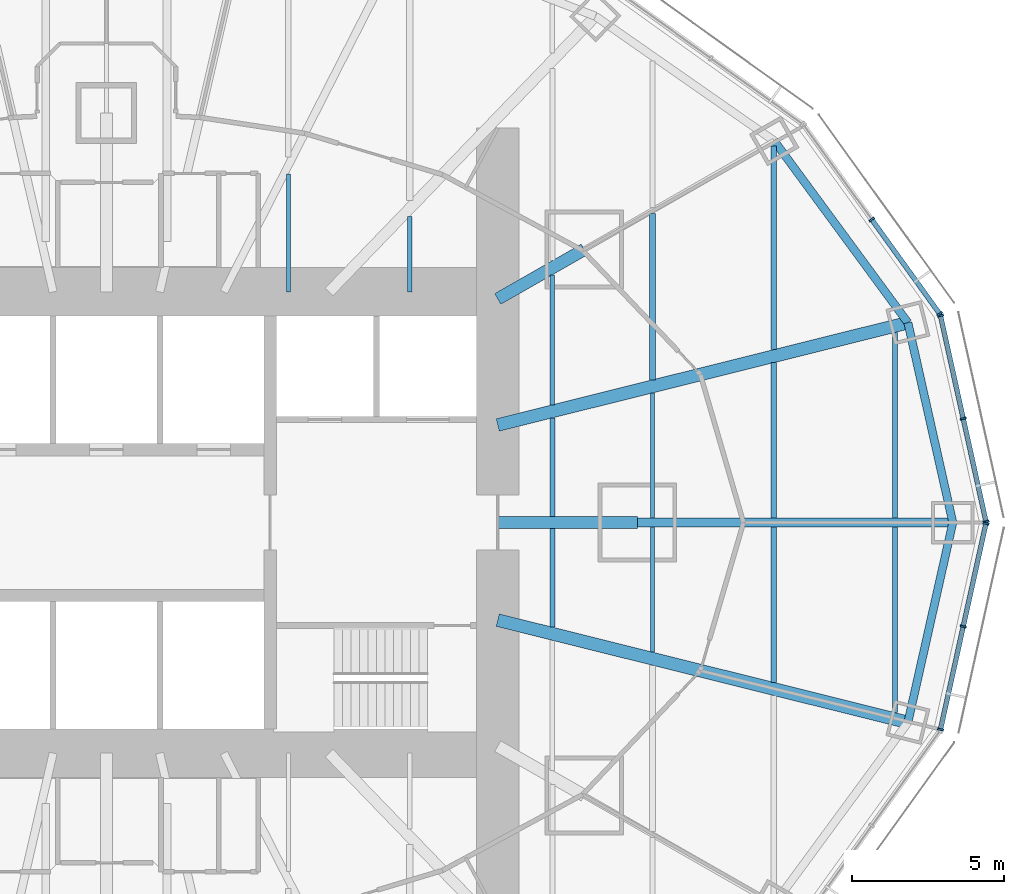
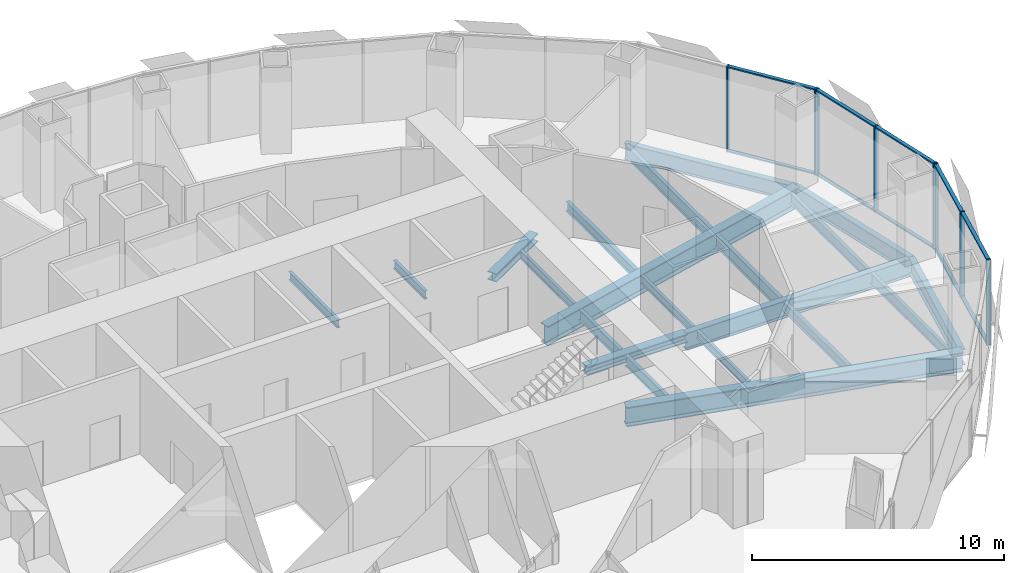
# One storey, part 6 of 18: 21 beams, 18 members, 3 elements without a shape of their own.
"""IFC4 building model written with IfcOpenShell, lengths in metres."""

from ifc_helpers import new_model, si_unit, direction, frame, origin, origin_2d, place, context, subcontext, project, spatial, rectangle, i_section, extrude, material, material_profile, profile_set, type_object, element, aggregate, save


model = new_model("IFC4")

# Units and contexts
model_context = context("Model", 3, precision=1e-05, world=origin(), true_north=direction((0.0, 1.0)))
body_context = subcontext(model_context, "Body", "Model", "MODEL_VIEW")
ifc_project = project(units=[si_unit("LENGTHUNIT", "METRE"), si_unit("AREAUNIT", "SQUARE_METRE"), si_unit("VOLUMEUNIT", "CUBIC_METRE"), si_unit("PLANEANGLEUNIT", "RADIAN"), si_unit("MASSUNIT", "GRAM", prefix="KILO")], contexts=[model_context])

# Site, building, storey
site_placement = place(None, origin())
site = spatial("IfcSite", under=ifc_project, at=site_placement, CompositionType="ELEMENT")
building_placement = place(site_placement, origin())
building = spatial("IfcBuilding", under=site, at=building_placement, Name="Lantaw Convention Tower", CompositionType="ELEMENT")
storey_placement = place(building_placement, frame((0.0, 0.0, 146.800048828125)))
storey = spatial("IfcBuildingStorey", under=building, at=storey_placement, Name="L34", CompositionType="ELEMENT", Elevation=146.800048828125)

# Beams
ifc_material_1 = material(Name="Steel ASTM A992", Category="steel")
ifc_material_profile_1 = material_profile(ifc_material_1, i_section(OverallWidth=0.2666015625, OverallDepth=0.76953125, WebThickness=0.015625, FlangeThickness=0.025390625, FilletRadius=0.0126953125, at=origin_2d()), Name="W30X132")
ifc_profile_set_1 = profile_set([ifc_material_profile_1], Name="Steel ASTM A992")
beam_type_1 = type_object("IfcBeamType", Name="Beam E W30X132", PredefinedType="SPANDREL", material=ifc_profile_set_1)
beam_1_placement = place(storey_placement, frame((27.89990234375, 0.0, -0.534912109375), z_axis=(-0.219211877447, 0.975677279015, 0.0), x_axis=(-0.975677279015, -0.219211877447, 0.0)))
element("IfcBeam", 1, at=beam_1_placement, inside=storey, type_object=beam_type_1, Name="Edge beam 1", PredefinedType="SPANDREL", context=body_context, shape_type="SweptSolid", body=[
    extrude(i_section(OverallWidth=0.2666015625, OverallDepth=0.76953125, WebThickness=0.015625, FlangeThickness=0.025390625, FilletRadius=0.0126953125, at=origin_2d()), origin(), (0.0, 0.0, 1.0), 6.75146484375),
])
beam_2_placement = place(storey_placement, frame((26.419921875, 6.587158203125, -0.534912109375), z_axis=(-0.5923891972, 0.805651934176, 0.0), x_axis=(-0.805651934176, -0.5923891972, 0.0)))
element("IfcBeam", 2, at=beam_2_placement, inside=storey, type_object=beam_type_1, Name="Edge beam 2", PredefinedType="SPANDREL", context=body_context, shape_type="SweptSolid", body=[
    extrude(i_section(OverallWidth=0.2666015625, OverallDepth=0.76953125, WebThickness=0.015625, FlangeThickness=0.025390625, FilletRadius=0.0126953125, at=origin_2d()), origin(), (0.0, 0.0, 1.0), 7.437744140625),
])
beam_3_placement = place(storey_placement, frame((26.419921875, -6.587158203125, -0.534912109375), z_axis=(0.219211877447, 0.975677279015, 0.0), x_axis=(-0.975677279015, 0.219211877447, 0.0)))
element("IfcBeam", 3, at=beam_3_placement, inside=storey, type_object=beam_type_1, Name="Edge beam 24", PredefinedType="SPANDREL", context=body_context, shape_type="SweptSolid", body=[
    extrude(i_section(OverallWidth=0.2666015625, OverallDepth=0.76953125, WebThickness=0.015625, FlangeThickness=0.025390625, FilletRadius=0.0126953125, at=origin_2d()), origin(), (0.0, 0.0, 1.0), 6.75146484375),
])
ifc_material_profile_2 = material_profile(ifc_material_1, i_section(OverallWidth=0.2919921875, OverallDepth=0.845703125, WebThickness=0.015380859375, FlangeThickness=0.0244140625, FilletRadius=0.01513671875, at=origin_2d()), Name="W33X141")
ifc_profile_set_2 = profile_set([ifc_material_profile_2], Name="Steel ASTM A992")
beam_type_2 = type_object("IfcBeamType", Name="Beam G W33X141", PredefinedType="BEAM", material=ifc_profile_set_2)
beam_4_placement = place(storey_placement, frame((17.5, 0.0, -0.572998046875), z_axis=(1.0, 0.0, 0.0), x_axis=(0.0, 1.0, 0.0)))
element("IfcBeam", 4, at=beam_4_placement, inside=storey, type_object=beam_type_2, Name="Floor girder on ray 1", PredefinedType="BEAM", context=body_context, shape_type="SweptSolid", body=[
    extrude(i_section(OverallWidth=0.2919921875, OverallDepth=0.845703125, WebThickness=0.015380859375, FlangeThickness=0.0244140625, FilletRadius=0.01513671875, at=origin_2d()), origin(), (0.0, 0.0, 1.0), 10.39990234375),
])
ifc_material_profile_3 = material_profile(ifc_material_1, i_section(OverallWidth=0.421630859375, OverallDepth=0.937255859375, WebThickness=0.0224609375, FlangeThickness=0.039794921875, FilletRadius=0.02001953125, at=origin_2d()), Name="W36X282")
ifc_profile_set_3 = profile_set([ifc_material_profile_3], Name="Steel ASTM A992")
beam_type_3 = type_object("IfcBeamType", Name="Beam G W36X282", PredefinedType="BEAM", material=ifc_profile_set_3)
for number, where, z_axis, x_axis, name in (
    (5, (12.89990234375, 3.21630859375, -0.61865234375), (0.970296903132, 0.24191717544, 0.0), (-0.24191717544, 0.970296903132, 0.0), "Floor girder on ray 2"),
    (6, (12.89990234375, -3.21630859375, -0.61865234375), (0.970296903132, -0.24191717544, 0.0), (0.24191717544, 0.970296903132, 0.0), "Floor girder on ray 24"),
):
    element("IfcBeam", number, at=place(storey_placement, frame(where, z_axis=z_axis, x_axis=x_axis)), inside=storey, type_object=beam_type_3, Name=name, PredefinedType="BEAM", context=body_context, shape_type="SweptSolid", body=[
        extrude(i_section(OverallWidth=0.421630859375, OverallDepth=0.937255859375, WebThickness=0.0224609375, FlangeThickness=0.039794921875, FilletRadius=0.02001953125, at=origin_2d()), origin(), (0.0, 0.0, 1.0), 13.933837890625),
    ])
ifc_material_profile_4 = material_profile(ifc_material_1, i_section(OverallWidth=0.40380859375, OverallDepth=0.406494140625, WebThickness=0.027099609375, FlangeThickness=0.043701171875, FilletRadius=0.01513671875, at=origin_2d()), Name="W14X233")
ifc_profile_set_4 = profile_set([ifc_material_profile_4], Name="Steel ASTM A992")
beam_type_4 = type_object("IfcBeamType", Name="Beam GM W14X233", PredefinedType="BEAM", material=ifc_profile_set_4)
beam_5_placement = place(storey_placement, frame((12.89990234375, 0.0, -0.353271484375), z_axis=(1.0, 0.0, 0.0), x_axis=(0.0, 1.0, 0.0)))
element("IfcBeam", 7, at=beam_5_placement, inside=storey, type_object=beam_type_4, Name="Core link beam on ray 1", PredefinedType="BEAM", context=body_context, shape_type="SweptSolid", body=[
    extrude(i_section(OverallWidth=0.40380859375, OverallDepth=0.406494140625, WebThickness=0.027099609375, FlangeThickness=0.043701171875, FilletRadius=0.01513671875, at=origin_2d()), origin(), (0.0, 0.0, 1.0), 4.60009765625),
])
beam_6_placement = place(storey_placement, frame((12.89990234375, 7.371337890625, -0.353271484375), z_axis=(0.868238565244, 0.496146947811, 0.0), x_axis=(-0.496146947811, 0.868238565244, 0.0)))
element("IfcBeam", 8, at=beam_6_placement, inside=storey, type_object=beam_type_4, Name="Core link beam on ray 3", PredefinedType="BEAM", context=body_context, shape_type="SweptSolid", body=[
    extrude(i_section(OverallWidth=0.40380859375, OverallDepth=0.406494140625, WebThickness=0.027099609375, FlangeThickness=0.043701171875, FilletRadius=0.01513671875, at=origin_2d()), origin(), (0.0, 0.0, 1.0), 3.28271484375),
])
ifc_material_profile_5 = material_profile(ifc_material_1, i_section(OverallWidth=0.140380859375, OverallDepth=0.40380859375, WebThickness=0.007080078125, FlangeThickness=0.01123046875, FilletRadius=0.01025390625, at=origin_2d()), Name="W16X31")
ifc_profile_set_5 = profile_set([ifc_material_profile_5], Name="Steel ASTM A992")
beam_type_5 = type_object("IfcBeamType", Name="Beam J W16X31", PredefinedType="JOIST", material=ifc_profile_set_5)
beam_7_placement = place(storey_placement, frame((6.0, 7.60009765625, -0.35205078125), z_axis=(0.0, 1.0, 0.0), x_axis=(-1.0, 0.0, 0.0)))
element("IfcBeam", 9, at=beam_7_placement, inside=storey, type_object=beam_type_5, Name="Floor joist", PredefinedType="JOIST", context=body_context, shape_type="SweptSolid", body=[
    extrude(i_section(OverallWidth=0.140380859375, OverallDepth=0.40380859375, WebThickness=0.007080078125, FlangeThickness=0.01123046875, FilletRadius=0.01025390625, at=origin_2d()), origin(), (0.0, 0.0, 1.0), 3.895751953125),
])
beam_8_placement = place(storey_placement, frame((10.0, 7.60009765625, -0.35205078125), z_axis=(0.0, 1.0, 0.0), x_axis=(-1.0, 0.0, 0.0)))
element("IfcBeam", 10, at=beam_8_placement, inside=storey, type_object=beam_type_5, Name="Floor joist", PredefinedType="JOIST", context=body_context, shape_type="SweptSolid", body=[
    extrude(i_section(OverallWidth=0.140380859375, OverallDepth=0.40380859375, WebThickness=0.007080078125, FlangeThickness=0.01123046875, FilletRadius=0.01025390625, at=origin_2d()), origin(), (0.0, 0.0, 1.0), 2.49560546875),
])
beam_9_placement = place(storey_placement, frame((14.699951171875, 3.88232421875, -0.35205078125), z_axis=(0.0, 1.0, 0.0), x_axis=(-1.0, 0.0, 0.0)))
element("IfcBeam", 11, at=beam_9_placement, inside=storey, type_object=beam_type_5, Name="Floor joist", PredefinedType="JOIST", context=body_context, shape_type="SweptSolid", body=[
    extrude(i_section(OverallWidth=0.140380859375, OverallDepth=0.40380859375, WebThickness=0.007080078125, FlangeThickness=0.01123046875, FilletRadius=0.01025390625, at=origin_2d()), origin(), (0.0, 0.0, 1.0), 4.28515625),
])
for number, where, z_axis, x_axis, name in (
    (12, (18.0, -4.270751953125, -0.35205078125), (0.0, 1.0, 0.0), (-1.0, 0.0, 0.0), "Floor joist"),
    (13, (18.0, 0.14599609375, -0.35205078125), (0.0, 1.0, 0.0), (-1.0, 0.0, 0.0), "Floor joist"),
):
    element("IfcBeam", number, at=place(storey_placement, frame(where, z_axis=z_axis, x_axis=x_axis)), inside=storey, type_object=beam_type_5, Name=name, PredefinedType="JOIST", context=body_context, shape_type="SweptSolid", body=[
        extrude(i_section(OverallWidth=0.140380859375, OverallDepth=0.40380859375, WebThickness=0.007080078125, FlangeThickness=0.01123046875, FilletRadius=0.01025390625, at=origin_2d()), origin(), (0.0, 0.0, 1.0), 4.124755859375),
    ])
ifc_material_profile_6 = material_profile(ifc_material_1, i_section(OverallWidth=0.1904296875, OverallDepth=0.457275390625, WebThickness=0.009033203125, FlangeThickness=0.014404296875, FilletRadius=0.01025390625, at=origin_2d()), Name="W18X50")
ifc_profile_set_6 = profile_set([ifc_material_profile_6], Name="Steel ASTM A992")
beam_type_6 = type_object("IfcBeamType", Name="Beam J W18X50", PredefinedType="JOIST", material=ifc_profile_set_6)
beam_10_placement = place(storey_placement, frame((18.0, 4.705078125, -0.378662109375), z_axis=(0.0, 1.0, 0.0), x_axis=(-1.0, 0.0, 0.0)))
element("IfcBeam", 14, at=beam_10_placement, inside=storey, type_object=beam_type_6, Name="Floor joist", PredefinedType="JOIST", context=body_context, shape_type="SweptSolid", body=[
    extrude(i_section(OverallWidth=0.1904296875, OverallDepth=0.457275390625, WebThickness=0.009033203125, FlangeThickness=0.014404296875, FilletRadius=0.01025390625, at=origin_2d()), origin(), (0.0, 0.0, 1.0), 5.47802734375),
])
beam_11_placement = place(storey_placement, frame((22.0, -5.267822265625, -0.378662109375), z_axis=(0.0, 1.0, 0.0), x_axis=(-1.0, 0.0, 0.0)))
element("IfcBeam", 15, at=beam_11_placement, inside=storey, type_object=beam_type_6, Name="Floor joist", PredefinedType="JOIST", context=body_context, shape_type="SweptSolid", body=[
    extrude(i_section(OverallWidth=0.1904296875, OverallDepth=0.457275390625, WebThickness=0.009033203125, FlangeThickness=0.014404296875, FilletRadius=0.01025390625, at=origin_2d()), origin(), (0.0, 0.0, 1.0), 5.121826171875),
])
ifc_material_profile_7 = material_profile(ifc_material_1, i_section(OverallWidth=0.1650390625, OverallDepth=0.52587890625, WebThickness=0.0087890625, FlangeThickness=0.011474609375, FilletRadius=0.0126953125, at=origin_2d()), Name="W21X44")
ifc_profile_set_7 = profile_set([ifc_material_profile_7], Name="Steel ASTM A992")
beam_type_7 = type_object("IfcBeamType", Name="Beam J W21X44", PredefinedType="JOIST", material=ifc_profile_set_7)
for number, where, z_axis, x_axis, name in (
    (16, (26.0, -6.26513671875, -0.412841796875), (0.0, 1.0, 0.0), (-1.0, 0.0, 0.0), "Floor joist"),
    (17, (26.0, 0.14599609375, -0.412841796875), (0.0, 1.0, 0.0), (-1.0, 0.0, 0.0), "Floor joist"),
):
    element("IfcBeam", number, at=place(storey_placement, frame(where, z_axis=z_axis, x_axis=x_axis)), inside=storey, type_object=beam_type_7, Name=name, PredefinedType="JOIST", context=body_context, shape_type="SweptSolid", body=[
        extrude(i_section(OverallWidth=0.1650390625, OverallDepth=0.52587890625, WebThickness=0.0087890625, FlangeThickness=0.011474609375, FilletRadius=0.0126953125, at=origin_2d()), origin(), (0.0, 0.0, 1.0), 6.119140625),
    ])
ifc_material_profile_8 = material_profile(ifc_material_1, i_section(OverallWidth=0.165771484375, OverallDepth=0.5283203125, WebThickness=0.009765625, FlangeThickness=0.013671875, FilletRadius=0.012939453125, at=origin_2d()), Name="W21X50")
ifc_profile_set_8 = profile_set([ifc_material_profile_8], Name="Steel ASTM A992")
beam_type_8 = type_object("IfcBeamType", Name="Beam J W21X50", PredefinedType="JOIST", material=ifc_profile_set_8)
for number, where, z_axis, x_axis, name in (
    (18, (14.699951171875, -3.44775390625, -0.414306640625), (0.0, 1.0, 0.0), (-1.0, 0.0, 0.0), "Floor joist"),
    (19, (14.699951171875, 0.201904296875, -0.414306640625), (0.0, 1.0, 0.0), (-1.0, 0.0, 0.0), "Floor joist"),
):
    element("IfcBeam", number, at=place(storey_placement, frame(where, z_axis=z_axis, x_axis=x_axis)), inside=storey, type_object=beam_type_8, Name=name, PredefinedType="JOIST", context=body_context, shape_type="SweptSolid", body=[
        extrude(i_section(OverallWidth=0.165771484375, OverallDepth=0.5283203125, WebThickness=0.009765625, FlangeThickness=0.013671875, FilletRadius=0.012939453125, at=origin_2d()), origin(), (0.0, 0.0, 1.0), 3.245849609375),
    ])
ifc_material_profile_9 = material_profile(ifc_material_1, i_section(OverallWidth=0.177978515625, OverallDepth=0.599365234375, WebThickness=0.010009765625, FlangeThickness=0.012939453125, FilletRadius=0.012939453125, at=origin_2d()), Name="W24X55")
ifc_profile_set_9 = profile_set([ifc_material_profile_9], Name="Steel ASTM A992")
beam_type_9 = type_object("IfcBeamType", Name="Beam J W24X55", PredefinedType="JOIST", material=ifc_profile_set_9)
beam_12_placement = place(storey_placement, frame((22.0, 0.14599609375, -0.44970703125), z_axis=(0.0, 1.0, 0.0), x_axis=(-1.0, 0.0, 0.0)))
element("IfcBeam", 20, at=beam_12_placement, inside=storey, type_object=beam_type_9, Name="Floor joist", PredefinedType="JOIST", context=body_context, shape_type="SweptSolid", body=[
    extrude(i_section(OverallWidth=0.177978515625, OverallDepth=0.599365234375, WebThickness=0.010009765625, FlangeThickness=0.012939453125, FilletRadius=0.012939453125, at=origin_2d()), origin(), (0.0, 0.0, 1.0), 5.121826171875),
])
beam_13_placement = place(storey_placement, frame((22.0, 5.702392578125, -0.44970703125), z_axis=(0.0, 1.0, 0.0), x_axis=(-1.0, 0.0, 0.0)))
element("IfcBeam", 21, at=beam_13_placement, inside=storey, type_object=beam_type_9, Name="Floor joist", PredefinedType="JOIST", context=body_context, shape_type="SweptSolid", body=[
    extrude(i_section(OverallWidth=0.177978515625, OverallDepth=0.599365234375, WebThickness=0.010009765625, FlangeThickness=0.012939453125, FilletRadius=0.012939453125, at=origin_2d()), origin(), (0.0, 0.0, 1.0), 6.70654296875),
])

# Curtain wall, members
ifc_material_2 = material(Name="Aluminium framed curtain wall", Category="aluminium")
curtain_wall_type = type_object("IfcCurtainWallType", Name="Office curtain wall low rise, pale aluminium", PredefinedType="USERDEFINED", material=ifc_material_2)
curtain_wall_1_placement = place(storey_placement, origin())
curtain_wall_1 = element("IfcCurtainWall", 22, at=curtain_wall_1_placement, inside=storey, type_object=curtain_wall_type, Name="Office curtain wall low rise, pale aluminium L34", ObjectType="UNITISED CURTAIN WALL", PredefinedType="USERDEFINED")
ifc_material_3 = material(Name="Aluminium 6063-T6", Category="aluminium")
ifc_material_profile_10 = material_profile(ifc_material_3, rectangle(XDim=0.199951171875, YDim=0.06494140625, at=origin_2d()), Name="CW-O1 mullion 65x200")
ifc_profile_set_10 = profile_set([ifc_material_profile_10], Name="Aluminium 6063-T6")
member_type_1 = type_object("IfcMemberType", Name="CW-O1 mullion 65x200", PredefinedType="MULLION", material=ifc_profile_set_10)
member_1_placement = place(storey_placement, frame((28.992919921875, 0.03173828125, -0.150146484375), z_axis=(0.0, 0.0, 1.0), x_axis=(-0.9764936509, -0.215546166174, 0.0)))
member_1 = element("IfcMember", 23, at=member_1_placement, type_object=member_type_1, Name="CW-O1 mullion 1", PredefinedType="MULLION", context=body_context, shape_type="SweptSolid", body=[
    extrude(rectangle(XDim=0.199951171875, YDim=0.06494140625, at=origin_2d()), origin(), (0.0, 0.0, 1.0), 4.150146484375),
])
member_2_placement = place(storey_placement, frame((28.24365234375, 3.4267578125, -0.150146484375), z_axis=(0.0, 0.0, 1.0), x_axis=(-0.9764936509, -0.215546166174, 0.0)))
member_2 = element("IfcMember", 24, at=member_2_placement, type_object=member_type_1, Name="CW-O1 mullion 2", PredefinedType="MULLION", context=body_context, shape_type="SweptSolid", body=[
    extrude(rectangle(XDim=0.199951171875, YDim=0.06494140625, at=origin_2d()), origin(), (0.0, 0.0, 1.0), 4.150146484375),
])
member_3_placement = place(storey_placement, frame((27.494140625, 6.821533203125, -0.150146484375), z_axis=(0.0, 0.0, 1.0), x_axis=(-0.9764936509, -0.215546166174, 0.0)))
member_3 = element("IfcMember", 25, at=member_3_placement, type_object=member_type_1, Name="CW-O1 mullion 3", PredefinedType="MULLION", context=body_context, shape_type="SweptSolid", body=[
    extrude(rectangle(XDim=0.199951171875, YDim=0.06494140625, at=origin_2d()), origin(), (0.0, 0.0, 1.0), 4.150146484375),
])

curtain_wall_2_placement = place(storey_placement, origin())
curtain_wall_2 = element("IfcCurtainWall", 26, at=curtain_wall_2_placement, inside=storey, type_object=curtain_wall_type, Name="Office curtain wall low rise, pale aluminium L34", ObjectType="UNITISED CURTAIN WALL", PredefinedType="USERDEFINED")
member_4_placement = place(storey_placement, frame((27.46826171875, 6.879638671875, -0.150146484375), z_axis=(0.0, 0.0, 1.0), x_axis=(-0.811384633629, -0.584512597221, 0.0)))
member_4 = element("IfcMember", 27, at=member_4_placement, type_object=member_type_1, Name="CW-O1 mullion 1", PredefinedType="MULLION", context=body_context, shape_type="SweptSolid", body=[
    extrude(rectangle(XDim=0.199951171875, YDim=0.06494140625, at=origin_2d()), origin(), (0.0, 0.0, 1.0), 4.150146484375),
])
member_5_placement = place(storey_placement, frame((25.22802734375, 9.9892578125, -0.150146484375), z_axis=(0.0, 0.0, 1.0), x_axis=(-0.811384633629, -0.584512597221, 0.0)))
member_5 = element("IfcMember", 28, at=member_5_placement, type_object=member_type_1, Name="CW-O1 mullion 2", PredefinedType="MULLION", context=body_context, shape_type="SweptSolid", body=[
    extrude(rectangle(XDim=0.199951171875, YDim=0.06494140625, at=origin_2d()), origin(), (0.0, 0.0, 1.0), 4.150146484375),
])

curtain_wall_3_placement = place(storey_placement, origin())
curtain_wall_3 = element("IfcCurtainWall", 29, at=curtain_wall_3_placement, inside=storey, type_object=curtain_wall_type, Name="Office curtain wall low rise, pale aluminium L34", ObjectType="UNITISED CURTAIN WALL", PredefinedType="USERDEFINED")
member_6_placement = place(storey_placement, frame((27.494140625, -6.821533203125, -0.150146484375), z_axis=(0.0, 0.0, 1.0), x_axis=(-0.9764936509, 0.215546166174, 0.0)))
member_6 = element("IfcMember", 30, at=member_6_placement, type_object=member_type_1, Name="CW-O1 mullion 1", PredefinedType="MULLION", context=body_context, shape_type="SweptSolid", body=[
    extrude(rectangle(XDim=0.199951171875, YDim=0.06494140625, at=origin_2d()), origin(), (0.0, 0.0, 1.0), 4.150146484375),
])
member_7_placement = place(storey_placement, frame((28.24365234375, -3.4267578125, -0.150146484375), z_axis=(0.0, 0.0, 1.0), x_axis=(-0.9764936509, 0.215546166174, 0.0)))
member_7 = element("IfcMember", 31, at=member_7_placement, type_object=member_type_1, Name="CW-O1 mullion 2", PredefinedType="MULLION", context=body_context, shape_type="SweptSolid", body=[
    extrude(rectangle(XDim=0.199951171875, YDim=0.06494140625, at=origin_2d()), origin(), (0.0, 0.0, 1.0), 4.150146484375),
])
member_8_placement = place(storey_placement, frame((28.992919921875, -0.03173828125, -0.150146484375), z_axis=(0.0, 0.0, 1.0), x_axis=(-0.9764936509, 0.215546166174, 0.0)))
member_8 = element("IfcMember", 32, at=member_8_placement, type_object=member_type_1, Name="CW-O1 mullion 3", PredefinedType="MULLION", context=body_context, shape_type="SweptSolid", body=[
    extrude(rectangle(XDim=0.199951171875, YDim=0.06494140625, at=origin_2d()), origin(), (0.0, 0.0, 1.0), 4.150146484375),
])

# Member
ifc_material_profile_11 = material_profile(ifc_material_3, rectangle(XDim=0.159912109375, YDim=0.06494140625, at=origin_2d()), Name="CW-O1 transom 65x160")
ifc_profile_set_11 = profile_set([ifc_material_profile_11], Name="Aluminium 6063-T6")
member_type_2 = type_object("IfcMemberType", Name="CW-O1 transom 65x160", PredefinedType="USERDEFINED", material=ifc_profile_set_11)
member_9_placement = place(storey_placement, frame((28.986083984375, 0.0634765625, -0.117431640625), z_axis=(-0.215536096386, 0.976495873598, 0.0), x_axis=(-0.976495873598, -0.215536096386, 0.0)))
member_9 = element("IfcMember", 33, at=member_9_placement, type_object=member_type_2, Name="CW-O1 transom 1.1", ObjectType="TRANSOM", PredefinedType="USERDEFINED", context=body_context, shape_type="SweptSolid", body=[
    extrude(rectangle(XDim=0.159912109375, YDim=0.06494140625, at=origin_2d()), origin(), (0.0, 0.0, 1.0), 3.41162109375),
])

member_10_placement = place(storey_placement, frame((28.986083984375, 0.0634765625, 3.967529296875), z_axis=(-0.215536096386, 0.976495873598, 0.0), x_axis=(-0.976495873598, -0.215536096386, 0.0)))
member_10 = element("IfcMember", 34, at=member_10_placement, type_object=member_type_2, Name="CW-O1 transom 1.2", ObjectType="TRANSOM", PredefinedType="USERDEFINED", context=body_context, shape_type="SweptSolid", body=[
    extrude(rectangle(XDim=0.159912109375, YDim=0.06494140625, at=origin_2d()), origin(), (0.0, 0.0, 1.0), 3.41162109375),
])

member_11_placement = place(storey_placement, frame((28.236572265625, 3.45849609375, -0.117431640625), z_axis=(-0.21555115847, 0.976492548913, 0.0), x_axis=(-0.976492548913, -0.21555115847, 0.0)))
member_11 = element("IfcMember", 35, at=member_11_placement, type_object=member_type_2, Name="CW-O1 transom 2.1", ObjectType="TRANSOM", PredefinedType="USERDEFINED", context=body_context, shape_type="SweptSolid", body=[
    extrude(rectangle(XDim=0.159912109375, YDim=0.06494140625, at=origin_2d()), origin(), (0.0, 0.0, 1.0), 3.411376953125),
])

member_12_placement = place(storey_placement, frame((28.236572265625, 3.45849609375, 3.967529296875), z_axis=(-0.21555115847, 0.976492548913, 0.0), x_axis=(-0.976492548913, -0.21555115847, 0.0)))
member_12 = element("IfcMember", 36, at=member_12_placement, type_object=member_type_2, Name="CW-O1 transom 2.2", ObjectType="TRANSOM", PredefinedType="USERDEFINED", context=body_context, shape_type="SweptSolid", body=[
    extrude(rectangle(XDim=0.159912109375, YDim=0.06494140625, at=origin_2d()), origin(), (0.0, 0.0, 1.0), 3.411376953125),
])

aggregate(curtain_wall_1, [member_1, member_2, member_3, member_9, member_10, member_11, member_12])

member_13_placement = place(storey_placement, frame((27.44921875, 6.906005859375, -0.117431640625), z_axis=(-0.584512973979, 0.811384362217, 0.0), x_axis=(-0.811384362217, -0.584512973979, 0.0)))
member_13 = element("IfcMember", 37, at=member_13_placement, type_object=member_type_2, Name="CW-O1 transom 1.1", ObjectType="TRANSOM", PredefinedType="USERDEFINED", context=body_context, shape_type="SweptSolid", body=[
    extrude(rectangle(XDim=0.159912109375, YDim=0.06494140625, at=origin_2d()), origin(), (0.0, 0.0, 1.0), 3.767578125),
])

member_14_placement = place(storey_placement, frame((27.44921875, 6.906005859375, 3.967529296875), z_axis=(-0.584512973979, 0.811384362217, 0.0), x_axis=(-0.811384362217, -0.584512973979, 0.0)))
member_14 = element("IfcMember", 38, at=member_14_placement, type_object=member_type_2, Name="CW-O1 transom 1.2", ObjectType="TRANSOM", PredefinedType="USERDEFINED", context=body_context, shape_type="SweptSolid", body=[
    extrude(rectangle(XDim=0.159912109375, YDim=0.06494140625, at=origin_2d()), origin(), (0.0, 0.0, 1.0), 3.767578125),
])

aggregate(curtain_wall_2, [member_4, member_5, member_13, member_14])

member_15_placement = place(storey_placement, frame((27.501220703125, -6.789794921875, -0.117431640625), z_axis=(0.21555115847, 0.976492548913, 0.0), x_axis=(-0.976492548913, 0.21555115847, 0.0)))
member_15 = element("IfcMember", 39, at=member_15_placement, type_object=member_type_2, Name="CW-O1 transom 1.1", ObjectType="TRANSOM", PredefinedType="USERDEFINED", context=body_context, shape_type="SweptSolid", body=[
    extrude(rectangle(XDim=0.159912109375, YDim=0.06494140625, at=origin_2d()), origin(), (0.0, 0.0, 1.0), 3.411376953125),
])

member_16_placement = place(storey_placement, frame((27.501220703125, -6.789794921875, 3.967529296875), z_axis=(0.21555115847, 0.976492548913, 0.0), x_axis=(-0.976492548913, 0.21555115847, 0.0)))
member_16 = element("IfcMember", 40, at=member_16_placement, type_object=member_type_2, Name="CW-O1 transom 1.2", ObjectType="TRANSOM", PredefinedType="USERDEFINED", context=body_context, shape_type="SweptSolid", body=[
    extrude(rectangle(XDim=0.159912109375, YDim=0.06494140625, at=origin_2d()), origin(), (0.0, 0.0, 1.0), 3.411376953125),
])

member_17_placement = place(storey_placement, frame((28.250732421875, -3.39501953125, -0.117431640625), z_axis=(0.215536096386, 0.976495873598, 0.0), x_axis=(-0.976495873598, 0.215536096386, 0.0)))
member_17 = element("IfcMember", 41, at=member_17_placement, type_object=member_type_2, Name="CW-O1 transom 2.1", ObjectType="TRANSOM", PredefinedType="USERDEFINED", context=body_context, shape_type="SweptSolid", body=[
    extrude(rectangle(XDim=0.159912109375, YDim=0.06494140625, at=origin_2d()), origin(), (0.0, 0.0, 1.0), 3.41162109375),
])

member_18_placement = place(storey_placement, frame((28.250732421875, -3.39501953125, 3.967529296875), z_axis=(0.215536096386, 0.976495873598, 0.0), x_axis=(-0.976495873598, 0.215536096386, 0.0)))
member_18 = element("IfcMember", 42, at=member_18_placement, type_object=member_type_2, Name="CW-O1 transom 2.2", ObjectType="TRANSOM", PredefinedType="USERDEFINED", context=body_context, shape_type="SweptSolid", body=[
    extrude(rectangle(XDim=0.159912109375, YDim=0.06494140625, at=origin_2d()), origin(), (0.0, 0.0, 1.0), 3.41162109375),
])

aggregate(curtain_wall_3, [member_6, member_7, member_8, member_15, member_16, member_17, member_18])

save(model, "model.ifc")
